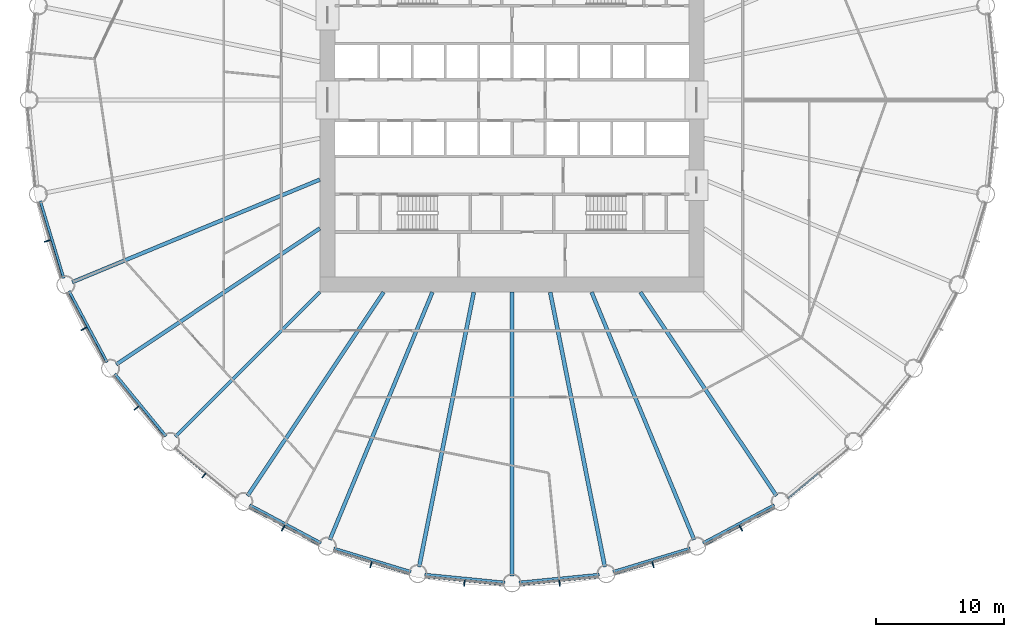
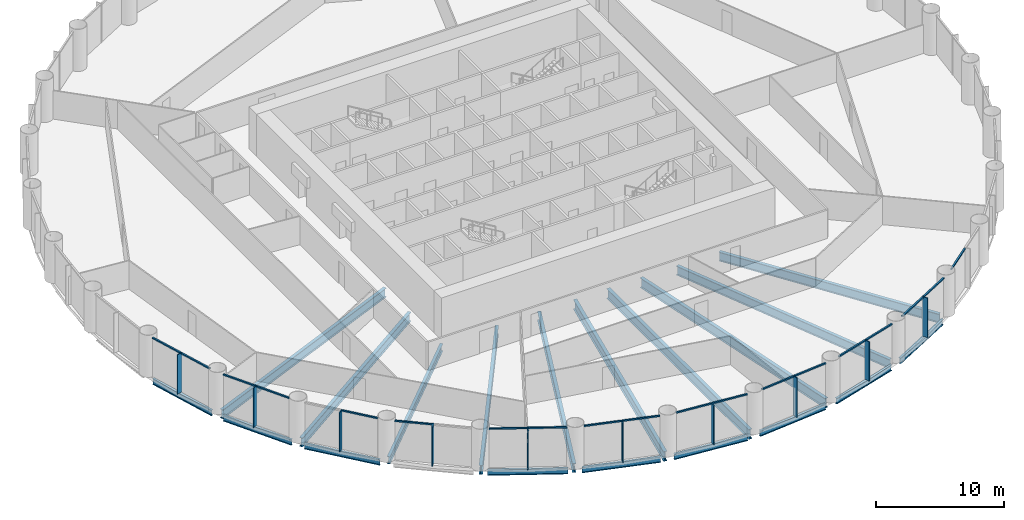
# One storey, part 2 of 15: 29 members, 19 beams, 11 elements without a shape of their own.
"""IFC4 building model written with IfcOpenShell, lengths in metres."""

from ifc_helpers import new_model, si_unit, direction, frame, origin, origin_2d, place, context, subcontext, project, spatial, rectangle, i_section, extrude, material, material_profile, profile_set, type_object, element, aggregate, save


model = new_model("IFC4")

# Units and contexts
model_context = context("Model", 3, precision=1e-05, world=origin(), true_north=direction((0.0, 1.0)))
body_context = subcontext(model_context, "Body", "Model", "MODEL_VIEW")
ifc_project = project(units=[si_unit("LENGTHUNIT", "METRE"), si_unit("AREAUNIT", "SQUARE_METRE"), si_unit("VOLUMEUNIT", "CUBIC_METRE"), si_unit("PLANEANGLEUNIT", "RADIAN"), si_unit("MASSUNIT", "GRAM", prefix="KILO")], contexts=[model_context])

# Site, building, storey
site_placement = place(None, origin())
site = spatial("IfcSite", under=ifc_project, at=site_placement, CompositionType="ELEMENT")
building_placement = place(site_placement, origin())
building = spatial("IfcBuilding", under=site, at=building_placement, Name="Corvane Civic Tower", CompositionType="ELEMENT")
storey_placement = place(building_placement, frame((0.0, 0.0, 61.0)))
storey = spatial("IfcBuildingStorey", under=building, at=storey_placement, Name="L13", CompositionType="ELEMENT", Elevation=61.0)

# Beams
ifc_material_1 = material(Name="Steel ASTM A992 Gr 50", Category="steel")
ifc_material_profile_1 = material_profile(ifc_material_1, i_section(OverallWidth=0.209228515625, OverallDepth=0.533447265625, WebThickness=0.01025390625, FlangeThickness=0.015625, at=origin_2d()), Name="W21X62")
ifc_profile_set_1 = profile_set([ifc_material_profile_1], Name="Steel ASTM A992 Gr 50")
beam_type_1 = type_object("IfcBeamType", Name="EDGE BEAM W21X62", PredefinedType="BEAM", material=ifc_profile_set_1)
for number, where, z_axis, x_axis, name in (
    (1, (20.4599609375, -31.605712890625, -0.566650390625), (-0.881916367906, -0.471405897311, 0.0), (0.471405897311, -0.881916367906, 0.0), "BM-L13-E14"),
    (2, (13.90087890625, -34.989990234375, -0.566650390625), (-0.956943740748, -0.290273452184, 0.0), (0.290273452184, -0.956943740748, 0.0), "BM-L13-E15"),
):
    element("IfcBeam", number, at=place(storey_placement, frame(where, z_axis=z_axis, x_axis=x_axis)), inside=storey, type_object=beam_type_1, Name=name, PredefinedType="BEAM", context=body_context, shape_type="SweptSolid", body=[
        extrude(i_section(OverallWidth=0.209228515625, OverallDepth=0.533447265625, WebThickness=0.01025390625, FlangeThickness=0.015625, at=origin_2d()), origin(), (0.0, 0.0, 1.0), 6.290283203125),
    ])
for number, where, z_axis, x_axis, name in (
    (3, (6.8076171875, -37.029541015625, -0.566650390625), (-0.995186682089, -0.097997284622, 0.0), (0.097997284622, -0.995186682089, 0.0), "BM-L13-E16"),
    (4, (-0.54736328125, -37.64599609375, -0.566650390625), (-0.995186682089, 0.097997284622, 0.0), (-0.097997284622, -0.995186682089, 0.0), "BM-L13-E17"),
):
    element("IfcBeam", number, at=place(storey_placement, frame(where, z_axis=z_axis, x_axis=x_axis)), inside=storey, type_object=beam_type_1, Name=name, PredefinedType="BEAM", context=body_context, shape_type="SweptSolid", body=[
        extrude(i_section(OverallWidth=0.209228515625, OverallDepth=0.533447265625, WebThickness=0.01025390625, FlangeThickness=0.015625, at=origin_2d()), origin(), (0.0, 0.0, 1.0), 6.29052734375),
    ])
for number, where, z_axis, x_axis, name in (
    (5, (-7.88134765625, -36.81591796875, -0.566650390625), (-0.956943740748, 0.290273452184, 0.0), (-0.290273452184, -0.956943740748, 0.0), "BM-L13-E18"),
    (6, (-14.912353515625, -34.571044921875, -0.566650390625), (-0.881916367906, 0.471405897311, 0.0), (-0.471405897311, -0.881916367906, 0.0), "BM-L13-E19"),
):
    element("IfcBeam", number, at=place(storey_placement, frame(where, z_axis=z_axis, x_axis=x_axis)), inside=storey, type_object=beam_type_1, Name=name, PredefinedType="BEAM", context=body_context, shape_type="SweptSolid", body=[
        extrude(i_section(OverallWidth=0.209228515625, OverallDepth=0.533447265625, WebThickness=0.01025390625, FlangeThickness=0.015625, at=origin_2d()), origin(), (0.0, 0.0, 1.0), 6.290283203125),
    ])
beam_1_placement = place(storey_placement, frame((-27.0068359375, -26.23291015625, -0.566650390625), z_axis=(-0.634386787141, 0.773015785286, 0.0), x_axis=(-0.773015785286, -0.634386787141, 0.0)))
element("IfcBeam", 7, at=beam_1_placement, inside=storey, type_object=beam_type_1, Name="BM-L13-E21", PredefinedType="BEAM", context=body_context, shape_type="SweptSolid", body=[
    extrude(i_section(OverallWidth=0.209228515625, OverallDepth=0.533447265625, WebThickness=0.01025390625, FlangeThickness=0.015625, at=origin_2d()), origin(), (0.0, 0.0, 1.0), 6.290771484375),
])
for number, where, z_axis, x_axis, name in (
    (8, (-31.605712890625, -20.4599609375, -0.566650390625), (-0.471405897311, 0.881916367906, 0.0), (-0.881916367906, -0.471405897311, 0.0), "BM-L13-E22"),
    (9, (-34.989990234375, -13.90087890625, -0.566650390625), (-0.290273452184, 0.956943740748, 0.0), (-0.956943740748, -0.290273452184, 0.0), "BM-L13-E23"),
):
    element("IfcBeam", number, at=place(storey_placement, frame(where, z_axis=z_axis, x_axis=x_axis)), inside=storey, type_object=beam_type_1, Name=name, PredefinedType="BEAM", context=body_context, shape_type="SweptSolid", body=[
        extrude(i_section(OverallWidth=0.209228515625, OverallDepth=0.533447265625, WebThickness=0.01025390625, FlangeThickness=0.015625, at=origin_2d()), origin(), (0.0, 0.0, 1.0), 6.290283203125),
    ])
ifc_material_2 = material(Name="Steel ASTM A992 Gr 50", Category="steel")
ifc_material_profile_2 = material_profile(ifc_material_2, i_section(OverallWidth=0.256591796875, OverallDepth=0.693359375, WebThickness=0.014404296875, FlangeThickness=0.023681640625, at=origin_2d()), Name="W27X114")
ifc_profile_set_2 = profile_set([ifc_material_profile_2], Name="Steel ASTM A992 Gr 50")
beam_type_2 = type_object("IfcBeamType", Name="FLOOR GIRDER W27X114", PredefinedType="BEAM", material=ifc_profile_set_2)
beam_2_placement = place(storey_placement, frame((-15.0, -15.0, -0.646728515625), z_axis=(-0.707106781187, -0.707106781187, 0.0), x_axis=(0.707106781187, -0.707106781187, 0.0)))
element("IfcBeam", 10, at=beam_2_placement, inside=storey, type_object=beam_type_2, Name="BM-L13-G21", PredefinedType="BEAM", context=body_context, shape_type="SweptSolid", body=[
    extrude(i_section(OverallWidth=0.256591796875, OverallDepth=0.693359375, WebThickness=0.014404296875, FlangeThickness=0.023681640625, at=origin_2d()), origin(), (0.0, 0.0, 1.0), 15.936767578125),
])
ifc_material_3 = material(Name="Steel ASTM A992 Gr 50", Category="steel")
ifc_material_profile_3 = material_profile(ifc_material_3, i_section(OverallWidth=0.2919921875, OverallDepth=0.8583984375, WebThickness=0.01708984375, FlangeThickness=0.031005859375, at=origin_2d()), Name="W33X169")
ifc_profile_set_3 = profile_set([ifc_material_profile_3], Name="Steel ASTM A992 Gr 50")
beam_type_3 = type_object("IfcBeamType", Name="FLOOR GIRDER W33X169", PredefinedType="BEAM", material=ifc_profile_set_3)
beam_3_placement = place(storey_placement, frame((10.022705078125, -15.0, -0.729248046875), z_axis=(0.555566681385, -0.831471985418, 0.0), x_axis=(0.831471985418, 0.555566681385, 0.0)))
element("IfcBeam", 11, at=beam_3_placement, inside=storey, type_object=beam_type_3, Name="BM-L13-G14", PredefinedType="BEAM", context=body_context, shape_type="SweptSolid", body=[
    extrude(i_section(OverallWidth=0.2919921875, OverallDepth=0.8583984375, WebThickness=0.01708984375, FlangeThickness=0.031005859375, at=origin_2d()), origin(), (0.0, 0.0, 1.0), 19.109619140625),
])
for number, where, z_axis, x_axis, name in (
    (12, (6.213134765625, -15.0, -0.729248046875), (0.382692360381, -0.923875834355, 0.0), (0.923875834355, 0.382692360381, 0.0), "BM-L13-G15"),
    (13, (-6.213134765625, -15.0, -0.729248046875), (-0.382692360381, -0.923875834355, 0.0), (0.923875834355, -0.382692360381, 0.0), "BM-L13-G19"),
):
    element("IfcBeam", number, at=place(storey_placement, frame(where, z_axis=z_axis, x_axis=x_axis)), inside=storey, type_object=beam_type_3, Name=name, PredefinedType="BEAM", context=body_context, shape_type="SweptSolid", body=[
        extrude(i_section(OverallWidth=0.2919921875, OverallDepth=0.8583984375, WebThickness=0.01708984375, FlangeThickness=0.031005859375, at=origin_2d()), origin(), (0.0, 0.0, 1.0), 20.9140625),
    ])
for number, where, z_axis, x_axis, name in (
    (14, (-10.022705078125, -15.0, -0.729248046875), (-0.555566681385, -0.831471985418, 0.0), (0.831471985418, -0.555566681385, 0.0), "BM-L13-G20"),
    (15, (-15.0, -10.022705078125, -0.729248046875), (-0.831471985418, -0.555566681385, 0.0), (0.555566681385, -0.831471985418, 0.0), "BM-L13-G22"),
):
    element("IfcBeam", number, at=place(storey_placement, frame(where, z_axis=z_axis, x_axis=x_axis)), inside=storey, type_object=beam_type_3, Name=name, PredefinedType="BEAM", context=body_context, shape_type="SweptSolid", body=[
        extrude(i_section(OverallWidth=0.2919921875, OverallDepth=0.8583984375, WebThickness=0.01708984375, FlangeThickness=0.031005859375, at=origin_2d()), origin(), (0.0, 0.0, 1.0), 19.109619140625),
    ])
beam_4_placement = place(storey_placement, frame((-15.0, -6.213134765625, -0.729248046875), z_axis=(-0.923875834355, -0.382692360381, 0.0), x_axis=(0.382692360381, -0.923875834355, 0.0)))
element("IfcBeam", 16, at=beam_4_placement, inside=storey, type_object=beam_type_3, Name="BM-L13-G23", PredefinedType="BEAM", context=body_context, shape_type="SweptSolid", body=[
    extrude(i_section(OverallWidth=0.2919921875, OverallDepth=0.8583984375, WebThickness=0.01708984375, FlangeThickness=0.031005859375, at=origin_2d()), origin(), (0.0, 0.0, 1.0), 20.9140625),
])
ifc_material_4 = material(Name="Steel ASTM A992 Gr 50", Category="steel")
ifc_material_profile_4 = material_profile(ifc_material_4, i_section(OverallWidth=0.307373046875, OverallDepth=0.927001953125, WebThickness=0.01953125, FlangeThickness=0.031982421875, at=origin_2d()), Name="W36X194")
ifc_profile_set_4 = profile_set([ifc_material_profile_4], Name="Steel ASTM A992 Gr 50")
beam_type_4 = type_object("IfcBeamType", Name="FLOOR GIRDER W36X194", PredefinedType="BEAM", material=ifc_profile_set_4)
beam_5_placement = place(storey_placement, frame((2.983642578125, -15.0, -0.763671875), z_axis=(0.195089219638, -0.980785499679, 0.0), x_axis=(0.980785499679, 0.195089219638, 0.0)))
element("IfcBeam", 17, at=beam_5_placement, inside=storey, type_object=beam_type_4, Name="BM-L13-G16", PredefinedType="BEAM", context=body_context, shape_type="SweptSolid", body=[
    extrude(i_section(OverallWidth=0.307373046875, OverallDepth=0.927001953125, WebThickness=0.01953125, FlangeThickness=0.031982421875, at=origin_2d()), origin(), (0.0, 0.0, 1.0), 21.856201171875),
])
beam_6_placement = place(storey_placement, frame((0.0, -15.0, -0.763671875), z_axis=(0.0, -1.0, 0.0), x_axis=(1.0, 0.0, 0.0)))
element("IfcBeam", 18, at=beam_6_placement, inside=storey, type_object=beam_type_4, Name="BM-L13-G17", PredefinedType="BEAM", context=body_context, shape_type="SweptSolid", body=[
    extrude(i_section(OverallWidth=0.307373046875, OverallDepth=0.927001953125, WebThickness=0.01953125, FlangeThickness=0.031982421875, at=origin_2d()), origin(), (0.0, 0.0, 1.0), 22.14990234375),
])
beam_7_placement = place(storey_placement, frame((-2.983642578125, -15.0, -0.763671875), z_axis=(-0.195089219638, -0.980785499679, 0.0), x_axis=(0.980785499679, -0.195089219638, 0.0)))
element("IfcBeam", 19, at=beam_7_placement, inside=storey, type_object=beam_type_4, Name="BM-L13-G18", PredefinedType="BEAM", context=body_context, shape_type="SweptSolid", body=[
    extrude(i_section(OverallWidth=0.307373046875, OverallDepth=0.927001953125, WebThickness=0.01953125, FlangeThickness=0.031982421875, at=origin_2d()), origin(), (0.0, 0.0, 1.0), 21.856201171875),
])

# Curtain wall, member
ifc_material_5 = material(Name="Anodised aluminium bronze", Category="aluminium")
curtain_wall_type = type_object("IfcCurtainWallType", Name="TOWER CW-T1 STICK CURTAIN WALL", PredefinedType="NOTDEFINED", material=ifc_material_5)
curtain_wall_1_placement = place(storey_placement, origin())
curtain_wall_1 = element("IfcCurtainWall", 20, at=curtain_wall_1_placement, inside=storey, type_object=curtain_wall_type, Name="Curtain wall CW-T1 L13 bay 13", PredefinedType="NOTDEFINED")
ifc_material_6 = material(Name="Anodised aluminium bronze", Category="aluminium")
ifc_material_profile_5 = material_profile(ifc_material_6, rectangle(XDim=0.139892578125, YDim=0.1201171875, at=origin_2d()), Name="TOWER CW-T1 TRANSOM 140x120")
ifc_profile_set_5 = profile_set([ifc_material_profile_5], Name="Anodised aluminium bronze")
member_type_1 = type_object("IfcMemberType", Name="TOWER CW-T1 TRANSOM 140x120", PredefinedType="USERDEFINED", material=ifc_profile_set_5)
member_1_placement = place(storey_placement, frame((23.88427734375, -29.166015625, 3.68994140625), z_axis=(-0.773041738279, -0.634355161466, 0.0), x_axis=(0.634355161466, -0.773041738279, 0.0)))
member_1 = element("IfcMember", 21, at=member_1_placement, type_object=member_type_1, Name="Transom CW-T1 L13 13.2", ObjectType="TRANSOM", PredefinedType="USERDEFINED", context=body_context, shape_type="SweptSolid", body=[
    extrude(rectangle(XDim=0.139892578125, YDim=0.1201171875, at=origin_2d()), origin(), (0.0, 0.0, 1.0), 3.008544921875),
])
aggregate(curtain_wall_1, [member_1])

# Curtain wall, members
curtain_wall_2_placement = place(storey_placement, origin())
curtain_wall_2 = element("IfcCurtainWall", 22, at=curtain_wall_2_placement, inside=storey, type_object=curtain_wall_type, Name="Curtain wall CW-T1 L13 bay 14", PredefinedType="NOTDEFINED")
member_2_placement = place(storey_placement, frame((20.459228515625, -31.809326171875, 3.68994140625), z_axis=(-0.881923525532, -0.471392506424, 0.0), x_axis=(0.471392506424, -0.881923525532, 0.0)))
member_2 = element("IfcMember", 23, at=member_2_placement, type_object=member_type_1, Name="Transom CW-T1 L13 14.1", ObjectType="TRANSOM", PredefinedType="USERDEFINED", context=body_context, shape_type="SweptSolid", body=[
    extrude(rectangle(XDim=0.139892578125, YDim=0.1201171875, at=origin_2d()), origin(), (0.0, 0.0, 1.0), 3.008544921875),
])
member_3_placement = place(storey_placement, frame((17.7353515625, -33.26513671875, 3.68994140625), z_axis=(-0.881923525532, -0.471392506424, 0.0), x_axis=(0.471392506424, -0.881923525532, 0.0)))
member_3 = element("IfcMember", 24, at=member_3_placement, type_object=member_type_1, Name="Transom CW-T1 L13 14.2", ObjectType="TRANSOM", PredefinedType="USERDEFINED", context=body_context, shape_type="SweptSolid", body=[
    extrude(rectangle(XDim=0.139892578125, YDim=0.1201171875, at=origin_2d()), origin(), (0.0, 0.0, 1.0), 3.008544921875),
])

curtain_wall_3_placement = place(storey_placement, origin())
curtain_wall_3 = element("IfcCurtainWall", 25, at=curtain_wall_3_placement, inside=storey, type_object=curtain_wall_type, Name="Curtain wall CW-T1 L13 bay 15", PredefinedType="NOTDEFINED")
member_4_placement = place(storey_placement, frame((13.8603515625, -35.189453125, 3.68994140625), z_axis=(-0.956941780555, -0.290279914268, 0.0), x_axis=(0.290279914268, -0.956941780555, 0.0)))
member_4 = element("IfcMember", 26, at=member_4_placement, type_object=member_type_1, Name="Transom CW-T1 L13 15.1", ObjectType="TRANSOM", PredefinedType="USERDEFINED", context=body_context, shape_type="SweptSolid", body=[
    extrude(rectangle(XDim=0.139892578125, YDim=0.1201171875, at=origin_2d()), origin(), (0.0, 0.0, 1.0), 3.008544921875),
])
member_5_placement = place(storey_placement, frame((10.90478515625, -36.0859375, 3.68994140625), z_axis=(-0.956941780555, -0.290279914268, 0.0), x_axis=(0.290279914268, -0.956941780555, 0.0)))
member_5 = element("IfcMember", 27, at=member_5_placement, type_object=member_type_1, Name="Transom CW-T1 L13 15.2", ObjectType="TRANSOM", PredefinedType="USERDEFINED", context=body_context, shape_type="SweptSolid", body=[
    extrude(rectangle(XDim=0.139892578125, YDim=0.1201171875, at=origin_2d()), origin(), (0.0, 0.0, 1.0), 3.008544921875),
])

curtain_wall_4_placement = place(storey_placement, origin())
curtain_wall_4 = element("IfcCurtainWall", 28, at=curtain_wall_4_placement, inside=storey, type_object=curtain_wall_type, Name="Curtain wall CW-T1 L13 bay 16", PredefinedType="NOTDEFINED")
member_6_placement = place(storey_placement, frame((6.72900390625, -37.21728515625, 3.68994140625), z_axis=(-0.995191836722, -0.097944923917, 0.0), x_axis=(0.097944923917, -0.995191836722, 0.0)))
member_6 = element("IfcMember", 29, at=member_6_placement, type_object=member_type_1, Name="Transom CW-T1 L13 16.1", ObjectType="TRANSOM", PredefinedType="USERDEFINED", context=body_context, shape_type="SweptSolid", body=[
    extrude(rectangle(XDim=0.139892578125, YDim=0.1201171875, at=origin_2d()), origin(), (0.0, 0.0, 1.0), 3.008544921875),
])
member_7_placement = place(storey_placement, frame((3.6552734375, -37.52001953125, 3.68994140625), z_axis=(-0.995191836722, -0.097944923917, 0.0), x_axis=(0.097944923917, -0.995191836722, 0.0)))
member_7 = element("IfcMember", 30, at=member_7_placement, type_object=member_type_1, Name="Transom CW-T1 L13 16.2", ObjectType="TRANSOM", PredefinedType="USERDEFINED", context=body_context, shape_type="SweptSolid", body=[
    extrude(rectangle(XDim=0.139892578125, YDim=0.1201171875, at=origin_2d()), origin(), (0.0, 0.0, 1.0), 3.008544921875),
])

curtain_wall_5_placement = place(storey_placement, origin())
curtain_wall_5 = element("IfcCurtainWall", 31, at=curtain_wall_5_placement, inside=storey, type_object=curtain_wall_type, Name="Curtain wall CW-T1 L13 bay 17", PredefinedType="NOTDEFINED")
member_8_placement = place(storey_placement, frame((-0.6611328125, -37.814697265625, 3.68994140625), z_axis=(-0.995191836722, 0.097944923917, 0.0), x_axis=(-0.097944923917, -0.995191836722, 0.0)))
member_8 = element("IfcMember", 32, at=member_8_placement, type_object=member_type_1, Name="Transom CW-T1 L13 17.1", ObjectType="TRANSOM", PredefinedType="USERDEFINED", context=body_context, shape_type="SweptSolid", body=[
    extrude(rectangle(XDim=0.139892578125, YDim=0.1201171875, at=origin_2d()), origin(), (0.0, 0.0, 1.0), 3.008544921875),
])
member_9_placement = place(storey_placement, frame((-3.73486328125, -37.511962890625, 3.68994140625), z_axis=(-0.995191836722, 0.097944923917, 0.0), x_axis=(-0.097944923917, -0.995191836722, 0.0)))
member_9 = element("IfcMember", 33, at=member_9_placement, type_object=member_type_1, Name="Transom CW-T1 L13 17.2", ObjectType="TRANSOM", PredefinedType="USERDEFINED", context=body_context, shape_type="SweptSolid", body=[
    extrude(rectangle(XDim=0.139892578125, YDim=0.1201171875, at=origin_2d()), origin(), (0.0, 0.0, 1.0), 3.008544921875),
])

curtain_wall_6_placement = place(storey_placement, origin())
curtain_wall_6 = element("IfcCurtainWall", 34, at=curtain_wall_6_placement, inside=storey, type_object=curtain_wall_type, Name="Curtain wall CW-T1 L13 bay 18", PredefinedType="NOTDEFINED")
member_10_placement = place(storey_placement, frame((-8.02587890625, -36.959228515625, 3.68994140625), z_axis=(-0.956941780555, 0.290279914268, 0.0), x_axis=(-0.290279914268, -0.956941780555, 0.0)))
member_10 = element("IfcMember", 35, at=member_10_placement, type_object=member_type_1, Name="Transom CW-T1 L13 18.1", ObjectType="TRANSOM", PredefinedType="USERDEFINED", context=body_context, shape_type="SweptSolid", body=[
    extrude(rectangle(XDim=0.139892578125, YDim=0.1201171875, at=origin_2d()), origin(), (0.0, 0.0, 1.0), 3.008544921875),
])
member_11_placement = place(storey_placement, frame((-10.9814453125, -36.062744140625, 3.68994140625), z_axis=(-0.956941780555, 0.290279914268, 0.0), x_axis=(-0.290279914268, -0.956941780555, 0.0)))
member_11 = element("IfcMember", 36, at=member_11_placement, type_object=member_type_1, Name="Transom CW-T1 L13 18.2", ObjectType="TRANSOM", PredefinedType="USERDEFINED", context=body_context, shape_type="SweptSolid", body=[
    extrude(rectangle(XDim=0.139892578125, YDim=0.1201171875, at=origin_2d()), origin(), (0.0, 0.0, 1.0), 3.008544921875),
])

curtain_wall_7_placement = place(storey_placement, origin())
curtain_wall_7 = element("IfcCurtainWall", 37, at=curtain_wall_7_placement, inside=storey, type_object=curtain_wall_type, Name="Curtain wall CW-T1 L13 bay 19", PredefinedType="NOTDEFINED")
member_12_placement = place(storey_placement, frame((-15.08203125, -34.683349609375, 3.68994140625), z_axis=(-0.881923525532, 0.471392506424, 0.0), x_axis=(-0.471392506424, -0.881923525532, 0.0)))
member_12 = element("IfcMember", 38, at=member_12_placement, type_object=member_type_1, Name="Transom CW-T1 L13 19.1", ObjectType="TRANSOM", PredefinedType="USERDEFINED", context=body_context, shape_type="SweptSolid", body=[
    extrude(rectangle(XDim=0.139892578125, YDim=0.1201171875, at=origin_2d()), origin(), (0.0, 0.0, 1.0), 3.008544921875),
])
member_13_placement = place(storey_placement, frame((-17.805908203125, -33.2275390625, 3.68994140625), z_axis=(-0.881923525532, 0.471392506424, 0.0), x_axis=(-0.471392506424, -0.881923525532, 0.0)))
member_13 = element("IfcMember", 39, at=member_13_placement, type_object=member_type_1, Name="Transom CW-T1 L13 19.2", ObjectType="TRANSOM", PredefinedType="USERDEFINED", context=body_context, shape_type="SweptSolid", body=[
    extrude(rectangle(XDim=0.139892578125, YDim=0.1201171875, at=origin_2d()), origin(), (0.0, 0.0, 1.0), 3.008544921875),
])

# Curtain wall, member
curtain_wall_8_placement = place(storey_placement, origin())
curtain_wall_8 = element("IfcCurtainWall", 40, at=curtain_wall_8_placement, inside=storey, type_object=curtain_wall_type, Name="Curtain wall CW-T1 L13 bay 20", PredefinedType="NOTDEFINED")
member_14_placement = place(storey_placement, frame((-23.946044921875, -29.115234375, 3.68994140625), z_axis=(-0.773001943873, 0.634403652865, 0.0), x_axis=(-0.634403652865, -0.773001943873, 0.0)))
member_14 = element("IfcMember", 41, at=member_14_placement, type_object=member_type_1, Name="Transom CW-T1 L13 20.2", ObjectType="TRANSOM", PredefinedType="USERDEFINED", context=body_context, shape_type="SweptSolid", body=[
    extrude(rectangle(XDim=0.139892578125, YDim=0.1201171875, at=origin_2d()), origin(), (0.0, 0.0, 1.0), 3.008544921875),
])

curtain_wall_9_placement = place(storey_placement, origin())
curtain_wall_9 = element("IfcCurtainWall", 42, at=curtain_wall_9_placement, inside=storey, type_object=curtain_wall_type, Name="Curtain wall CW-T1 L13 bay 21", PredefinedType="NOTDEFINED")
member_15_placement = place(storey_placement, frame((-27.20654296875, -26.271728515625, 3.68994140625), z_axis=(-0.634403652865, 0.773001943873, 0.0), x_axis=(-0.773001943873, -0.634403652865, 0.0)))
member_15 = element("IfcMember", 43, at=member_15_placement, type_object=member_type_1, Name="Transom CW-T1 L13 21.1", ObjectType="TRANSOM", PredefinedType="USERDEFINED", context=body_context, shape_type="SweptSolid", body=[
    extrude(rectangle(XDim=0.139892578125, YDim=0.1201171875, at=origin_2d()), origin(), (0.0, 0.0, 1.0), 3.008544921875),
])

# Curtain wall, members
curtain_wall_10_placement = place(storey_placement, origin())
curtain_wall_10 = element("IfcCurtainWall", 44, at=curtain_wall_10_placement, inside=storey, type_object=curtain_wall_type, Name="Curtain wall CW-T1 L13 bay 22", PredefinedType="NOTDEFINED")
member_16_placement = place(storey_placement, frame((-31.809326171875, -20.459228515625, 3.68994140625), z_axis=(-0.471392506424, 0.881923525532, 0.0), x_axis=(-0.881923525532, -0.471392506424, 0.0)))
member_16 = element("IfcMember", 45, at=member_16_placement, type_object=member_type_1, Name="Transom CW-T1 L13 22.1", ObjectType="TRANSOM", PredefinedType="USERDEFINED", context=body_context, shape_type="SweptSolid", body=[
    extrude(rectangle(XDim=0.139892578125, YDim=0.1201171875, at=origin_2d()), origin(), (0.0, 0.0, 1.0), 3.008544921875),
])
member_17_placement = place(storey_placement, frame((-33.26513671875, -17.7353515625, 3.68994140625), z_axis=(-0.471392506424, 0.881923525532, 0.0), x_axis=(-0.881923525532, -0.471392506424, 0.0)))
member_17 = element("IfcMember", 46, at=member_17_placement, type_object=member_type_1, Name="Transom CW-T1 L13 22.2", ObjectType="TRANSOM", PredefinedType="USERDEFINED", context=body_context, shape_type="SweptSolid", body=[
    extrude(rectangle(XDim=0.139892578125, YDim=0.1201171875, at=origin_2d()), origin(), (0.0, 0.0, 1.0), 3.008544921875),
])

curtain_wall_11_placement = place(storey_placement, origin())
curtain_wall_11 = element("IfcCurtainWall", 47, at=curtain_wall_11_placement, inside=storey, type_object=curtain_wall_type, Name="Curtain wall CW-T1 L13 bay 23", PredefinedType="NOTDEFINED")
member_18_placement = place(storey_placement, frame((-35.189453125, -13.8603515625, 3.68994140625), z_axis=(-0.290279914268, 0.956941780555, 0.0), x_axis=(-0.956941780555, -0.290279914268, 0.0)))
member_18 = element("IfcMember", 48, at=member_18_placement, type_object=member_type_1, Name="Transom CW-T1 L13 23.1", ObjectType="TRANSOM", PredefinedType="USERDEFINED", context=body_context, shape_type="SweptSolid", body=[
    extrude(rectangle(XDim=0.139892578125, YDim=0.1201171875, at=origin_2d()), origin(), (0.0, 0.0, 1.0), 3.008544921875),
])
member_19_placement = place(storey_placement, frame((-36.0859375, -10.90478515625, 3.68994140625), z_axis=(-0.290279914268, 0.956941780555, 0.0), x_axis=(-0.956941780555, -0.290279914268, 0.0)))
member_19 = element("IfcMember", 49, at=member_19_placement, type_object=member_type_1, Name="Transom CW-T1 L13 23.2", ObjectType="TRANSOM", PredefinedType="USERDEFINED", context=body_context, shape_type="SweptSolid", body=[
    extrude(rectangle(XDim=0.139892578125, YDim=0.1201171875, at=origin_2d()), origin(), (0.0, 0.0, 1.0), 3.008544921875),
])

# Member
ifc_material_7 = material(Name="Anodised aluminium bronze", Category="aluminium")
ifc_material_profile_6 = material_profile(ifc_material_7, rectangle(XDim=0.080078125, YDim=0.5, at=origin_2d()), Name="TOWER FIN MULLION 80x500 BRONZE")
ifc_profile_set_6 = profile_set([ifc_material_profile_6], Name="Anodised aluminium bronze")
member_type_2 = type_object("IfcMemberType", Name="TOWER FIN MULLION 80x500 BRONZE", PredefinedType="MULLION", material=ifc_profile_set_6)
member_20_placement = place(storey_placement, frame((17.86474609375, -33.422607421875, 0.0), z_axis=(0.0, 0.0, 1.0), x_axis=(-0.881917528864, -0.471403725359, 0.0)))
member_20 = element("IfcMember", 50, at=member_20_placement, type_object=member_type_2, Name="Fin mullion 14 L13", PredefinedType="MULLION", context=body_context, shape_type="SweptSolid", body=[
    extrude(rectangle(XDim=0.080078125, YDim=0.5, at=origin_2d()), origin(), (0.0, 0.0, 1.0), 3.75),
])

aggregate(curtain_wall_2, [member_20, member_2, member_3])

member_21_placement = place(storey_placement, frame((11.001220703125, -36.265625, 0.0), z_axis=(0.0, 0.0, 1.0), x_axis=(-0.956942240606, -0.290278397654, 0.0)))
member_21 = element("IfcMember", 51, at=member_21_placement, type_object=member_type_2, Name="Fin mullion 15 L13", PredefinedType="MULLION", context=body_context, shape_type="SweptSolid", body=[
    extrude(rectangle(XDim=0.080078125, YDim=0.5, at=origin_2d()), origin(), (0.0, 0.0, 1.0), 3.75),
])

aggregate(curtain_wall_3, [member_21, member_4, member_5])

member_22_placement = place(storey_placement, frame((3.714599609375, -37.715087890625, 0.0), z_axis=(0.0, 0.0, 1.0), x_axis=(-0.995185800248, -0.098006239521, 0.0)))
member_22 = element("IfcMember", 52, at=member_22_placement, type_object=member_type_2, Name="Fin mullion 16 L13", PredefinedType="MULLION", context=body_context, shape_type="SweptSolid", body=[
    extrude(rectangle(XDim=0.080078125, YDim=0.5, at=origin_2d()), origin(), (0.0, 0.0, 1.0), 3.75),
])

aggregate(curtain_wall_4, [member_22, member_6, member_7])

member_23_placement = place(storey_placement, frame((-3.714599609375, -37.715087890625, 0.0), z_axis=(0.0, 0.0, 1.0), x_axis=(-0.995185800248, 0.098006239521, 0.0)))
member_23 = element("IfcMember", 53, at=member_23_placement, type_object=member_type_2, Name="Fin mullion 17 L13", PredefinedType="MULLION", context=body_context, shape_type="SweptSolid", body=[
    extrude(rectangle(XDim=0.080078125, YDim=0.5, at=origin_2d()), origin(), (0.0, 0.0, 1.0), 3.75),
])

aggregate(curtain_wall_5, [member_23, member_8, member_9])

member_24_placement = place(storey_placement, frame((-11.001220703125, -36.265625, 0.0), z_axis=(0.0, 0.0, 1.0), x_axis=(-0.956942240606, 0.290278397654, 0.0)))
member_24 = element("IfcMember", 54, at=member_24_placement, type_object=member_type_2, Name="Fin mullion 18 L13", PredefinedType="MULLION", context=body_context, shape_type="SweptSolid", body=[
    extrude(rectangle(XDim=0.080078125, YDim=0.5, at=origin_2d()), origin(), (0.0, 0.0, 1.0), 3.75),
])

aggregate(curtain_wall_6, [member_24, member_10, member_11])

member_25_placement = place(storey_placement, frame((-17.86474609375, -33.422607421875, 0.0), z_axis=(0.0, 0.0, 1.0), x_axis=(-0.881917528864, 0.471403725359, 0.0)))
member_25 = element("IfcMember", 55, at=member_25_placement, type_object=member_type_2, Name="Fin mullion 19 L13", PredefinedType="MULLION", context=body_context, shape_type="SweptSolid", body=[
    extrude(rectangle(XDim=0.080078125, YDim=0.5, at=origin_2d()), origin(), (0.0, 0.0, 1.0), 3.75),
])

aggregate(curtain_wall_7, [member_25, member_12, member_13])

member_26_placement = place(storey_placement, frame((-24.0419921875, -29.295166015625, 0.0), z_axis=(0.0, 0.0, 1.0), x_axis=(-0.773007224463, 0.634397218569, 0.0)))
member_26 = element("IfcMember", 56, at=member_26_placement, type_object=member_type_2, Name="Fin mullion 20 L13", PredefinedType="MULLION", context=body_context, shape_type="SweptSolid", body=[
    extrude(rectangle(XDim=0.080078125, YDim=0.5, at=origin_2d()), origin(), (0.0, 0.0, 1.0), 3.75),
])

aggregate(curtain_wall_8, [member_26, member_14])

member_27_placement = place(storey_placement, frame((-29.295166015625, -24.0419921875, 0.0), z_axis=(0.0, 0.0, 1.0), x_axis=(-0.634397218569, 0.773007224463, 0.0)))
member_27 = element("IfcMember", 57, at=member_27_placement, type_object=member_type_2, Name="Fin mullion 21 L13", PredefinedType="MULLION", context=body_context, shape_type="SweptSolid", body=[
    extrude(rectangle(XDim=0.080078125, YDim=0.5, at=origin_2d()), origin(), (0.0, 0.0, 1.0), 3.75),
])

aggregate(curtain_wall_9, [member_27, member_15])

member_28_placement = place(storey_placement, frame((-33.422607421875, -17.86474609375, 0.0), z_axis=(0.0, 0.0, 1.0), x_axis=(-0.471403725359, 0.881917528864, 0.0)))
member_28 = element("IfcMember", 58, at=member_28_placement, type_object=member_type_2, Name="Fin mullion 22 L13", PredefinedType="MULLION", context=body_context, shape_type="SweptSolid", body=[
    extrude(rectangle(XDim=0.080078125, YDim=0.5, at=origin_2d()), origin(), (0.0, 0.0, 1.0), 3.75),
])

aggregate(curtain_wall_10, [member_28, member_16, member_17])

member_29_placement = place(storey_placement, frame((-36.265625, -11.001220703125, 0.0), z_axis=(0.0, 0.0, 1.0), x_axis=(-0.290278397654, 0.956942240606, 0.0)))
member_29 = element("IfcMember", 59, at=member_29_placement, type_object=member_type_2, Name="Fin mullion 23 L13", PredefinedType="MULLION", context=body_context, shape_type="SweptSolid", body=[
    extrude(rectangle(XDim=0.080078125, YDim=0.5, at=origin_2d()), origin(), (0.0, 0.0, 1.0), 3.75),
])

aggregate(curtain_wall_11, [member_29, member_18, member_19])

save(model, "model.ifc")
